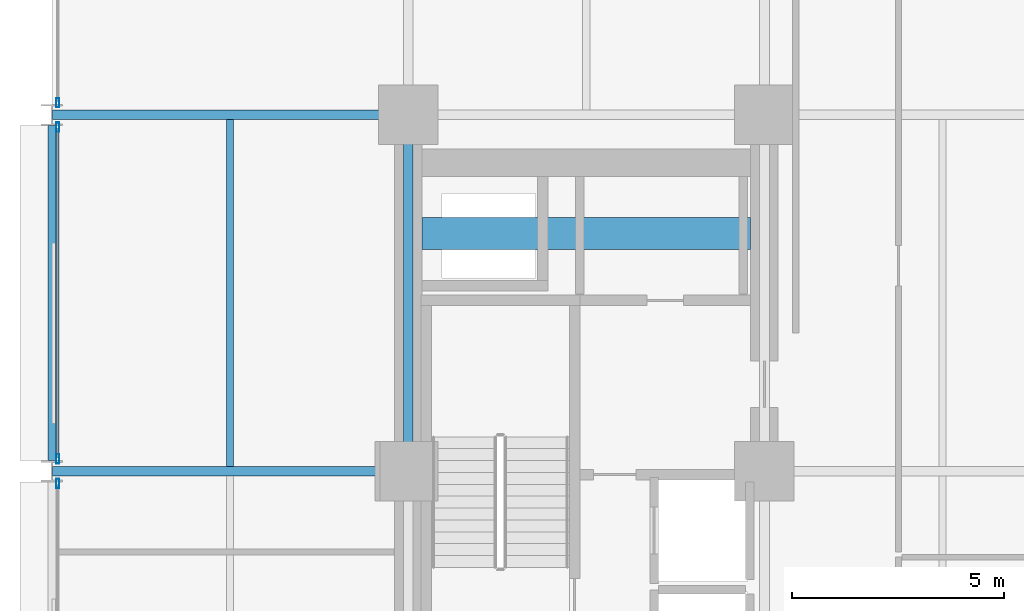
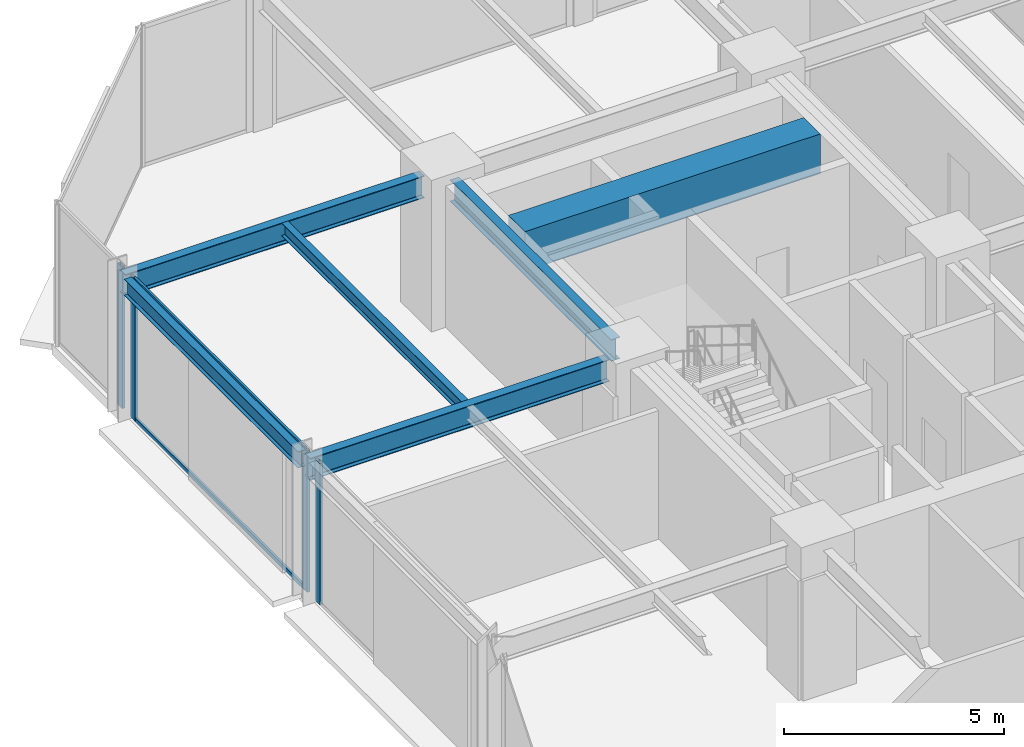
# One storey, part 14 of 25: 6 beams, 6 members, 3 elements without a shape of their own.
"""IFC4 building model written with IfcOpenShell, lengths in metres."""

from ifc_helpers import new_model, si_unit, direction, frame, origin, origin_2d, place, context, subcontext, project, spatial, rectangle, hollow_rectangle, i_section, extrude, material, layer, layer_set, material_profile, profile_set, type_object, element, aggregate, save


model = new_model("IFC4")

# Units and contexts
model_context = context("Model", 3, precision=1e-05, world=origin(), true_north=direction((0.0, 1.0)))
body_context = subcontext(model_context, "Body", "Model", "MODEL_VIEW")
ifc_project = project(units=[si_unit("LENGTHUNIT", "METRE"), si_unit("AREAUNIT", "SQUARE_METRE"), si_unit("VOLUMEUNIT", "CUBIC_METRE"), si_unit("PLANEANGLEUNIT", "RADIAN"), si_unit("MASSUNIT", "GRAM", prefix="KILO")], contexts=[model_context])

# Site, building, storey
site_placement = place(None, origin())
site = spatial("IfcSite", under=ifc_project, at=site_placement, CompositionType="ELEMENT")
building_placement = place(site_placement, origin())
building = spatial("IfcBuilding", under=site, at=building_placement, Name="Nerrivon Quay Data Exchange", CompositionType="ELEMENT")
storey_placement = place(building_placement, frame((0.0, 0.0, 29.0)))
storey = spatial("IfcBuildingStorey", under=building, at=storey_placement, Name="L06", CompositionType="ELEMENT", Elevation=29.0)

# Beams
ifc_material_1 = material(Name="Concrete S65 (65 MPa)", Category="concrete")
ifc_material_profile_1 = material_profile(ifc_material_1, rectangle(XDim=0.75, YDim=1.10009765625, at=origin_2d()), Name="RC-CB-750x1100")
ifc_profile_set_1 = profile_set([ifc_material_profile_1], Name="Concrete S65 (65 MPa)")
beam_type_1 = type_object("IfcBeamType", Name="BM-CB1-750x1100", PredefinedType="LINTEL", material=ifc_profile_set_1)
beam_1_placement = place(storey_placement, frame((8.72509765625, 39.199951171875, 3.375), z_axis=(1.0, 0.0, 0.0), x_axis=(0.0, 1.0, 0.0)))
element("IfcBeam", 1, at=beam_1_placement, inside=storey, type_object=beam_type_1, Name="L06 West Core Coupling Beam", PredefinedType="LINTEL", context=body_context, shape_type="SweptSolid", body=[
    extrude(rectangle(XDim=0.75, YDim=1.10009765625, at=origin_2d()), origin(), (0.0, 0.0, 1.0), 7.75),
])
ifc_material_2 = material(Name="Steel Grade 350", Category="steel")
ifc_material_profile_2 = material_profile(ifc_material_2, i_section(OverallWidth=0.22900390625, OverallDepth=0.612060546875, WebThickness=0.011962890625, FlangeThickness=0.01953125, FilletRadius=0.013916015625, at=origin_2d()), Name="610UB125")
ifc_profile_set_2 = profile_set([ifc_material_profile_2], Name="Steel Grade 350")
beam_type_2 = type_object("IfcBeamType", Name="BM-G1-610UB125", PredefinedType="BEAM", material=ifc_profile_set_2)
for number, where, z_axis, x_axis, name in (
    (2, (0.013916015625, 33.60009765625, 3.618896484375), (1.0, 0.0, 0.0), (0.0, 1.0, 0.0), "L06 EW Girder Y=33.6 (0.0..8.4)"),
    (3, (0.013916015625, 42.0, 3.618896484375), (1.0, 0.0, 0.0), (0.0, 1.0, 0.0), "L06 EW Girder Y=42.0 (0.0..8.4)"),
):
    element("IfcBeam", number, at=place(storey_placement, frame(where, z_axis=z_axis, x_axis=x_axis)), inside=storey, type_object=beam_type_2, Name=name, PredefinedType="BEAM", context=body_context, shape_type="SweptSolid", body=[
        extrude(i_section(OverallWidth=0.22900390625, OverallDepth=0.612060546875, WebThickness=0.011962890625, FlangeThickness=0.01953125, FilletRadius=0.013916015625, at=origin_2d()), origin(), (0.0, 0.0, 1.0), 7.84619140625),
    ])
ifc_material_profile_3 = material_profile(ifc_material_2, i_section(OverallWidth=0.22802734375, OverallDepth=0.60205078125, WebThickness=0.010498046875, FlangeThickness=0.014892578125, FilletRadius=0.013916015625, at=origin_2d()), Name="610UB101")
ifc_profile_set_3 = profile_set([ifc_material_profile_3], Name="Steel Grade 350")
beam_type_3 = type_object("IfcBeamType", Name="BM-G2-610UB101", PredefinedType="BEAM", material=ifc_profile_set_3)
beam_2_placement = place(storey_placement, frame((8.39990234375, 34.139892578125, 3.6240234375), z_axis=(0.0, 1.0, 0.0), x_axis=(-1.0, 0.0, 0.0)))
element("IfcBeam", 4, at=beam_2_placement, inside=storey, type_object=beam_type_3, Name="L06 NS Girder X=8.4 (33.6..42.0)", PredefinedType="BEAM", context=body_context, shape_type="SweptSolid", body=[
    extrude(i_section(OverallWidth=0.22802734375, OverallDepth=0.60205078125, WebThickness=0.010498046875, FlangeThickness=0.014892578125, FilletRadius=0.013916015625, at=origin_2d()), origin(), (0.0, 0.0, 1.0), 7.320068359375),
])
ifc_material_profile_4 = material_profile(ifc_material_2, i_section(OverallWidth=0.172119140625, OverallDepth=0.35888671875, WebThickness=0.008056640625, FlangeThickness=0.012939453125, FilletRadius=0.011474609375, at=origin_2d()), Name="360UB56.7")
ifc_profile_set_4 = profile_set([ifc_material_profile_4], Name="Steel Grade 350")
beam_type_4 = type_object("IfcBeamType", Name="BM-J3-360UB57", PredefinedType="JOIST", material=ifc_profile_set_4)
beam_3_placement = place(storey_placement, frame((4.199951171875, 33.714599609375, 3.74560546875), z_axis=(0.0, 1.0, 0.0), x_axis=(-1.0, 0.0, 0.0)))
element("IfcBeam", 5, at=beam_3_placement, inside=storey, type_object=beam_type_4, Name="L06 Secondary Joist X=4.2 (33.6..42.0)", PredefinedType="JOIST", context=body_context, shape_type="SweptSolid", body=[
    extrude(i_section(OverallWidth=0.172119140625, OverallDepth=0.35888671875, WebThickness=0.008056640625, FlangeThickness=0.012939453125, FilletRadius=0.011474609375, at=origin_2d()), origin(), (0.0, 0.0, 1.0), 8.1708984375),
])
ifc_material_profile_5 = material_profile(ifc_material_2, i_section(OverallWidth=0.18994140625, OverallDepth=0.4541015625, WebThickness=0.008544921875, FlangeThickness=0.0126953125, FilletRadius=0.011474609375, at=origin_2d()), Name="460UB67.1")
ifc_profile_set_5 = profile_set([ifc_material_profile_5], Name="Steel Grade 350")
beam_type_5 = type_object("IfcBeamType", Name="BM-SP1-460UB67", PredefinedType="SPANDREL", material=ifc_profile_set_5)
beam_4_placement = place(storey_placement, frame((0.0, 33.85009765625, 3.697998046875), z_axis=(0.0, 1.0, 0.0), x_axis=(-1.0, 0.0, 0.0)))
element("IfcBeam", 6, at=beam_4_placement, inside=storey, type_object=beam_type_5, Name="L06 NS Girder X=0.0 (33.6..42.0)", PredefinedType="SPANDREL", context=body_context, shape_type="SweptSolid", body=[
    extrude(i_section(OverallWidth=0.18994140625, OverallDepth=0.4541015625, WebThickness=0.008544921875, FlangeThickness=0.0126953125, FilletRadius=0.011474609375, at=origin_2d()), origin(), (0.0, 0.0, 1.0), 7.89990234375),
])

# Curtain wall, member
ifc_material_3 = material(Name="Anodised aluminium 6063-T6", Category="aluminium")
ifc_layer = layer(ifc_material_3, 0.219970703125)
ifc_layer_set = layer_set([ifc_layer], Name="Anodised aluminium 6063-T6")
curtain_wall_type = type_object("IfcCurtainWallType", Name="CW-SYS-01", PredefinedType="NOTDEFINED", material=ifc_layer_set)
curtain_wall_1_placement = place(storey_placement, origin())
curtain_wall_1 = element("IfcCurtainWall", 7, at=curtain_wall_1_placement, inside=storey, type_object=curtain_wall_type, Name="L06 Unitised Curtain Wall 16", PredefinedType="NOTDEFINED")
ifc_material_profile_6 = material_profile(ifc_material_3, hollow_rectangle(XDim=0.074951171875, YDim=0.219970703125, WallThickness=0.00390625, at=origin_2d()), Name="ALU-MULL-220x75")
ifc_profile_set_6 = profile_set([ifc_material_profile_6], Name="Anodised aluminium 6063-T6")
member_type_1 = type_object("IfcMemberType", Name="CWM-220x75", PredefinedType="MULLION", material=ifc_profile_set_6)
member_1_placement = place(storey_placement, frame((0.139892578125, 33.3125, 0.0), z_axis=(0.0, 0.0, 1.0), x_axis=(-1.0, 0.0, 0.0)))
member_1 = element("IfcMember", 8, at=member_1_placement, type_object=member_type_1, Name="CW01 mullion 2", PredefinedType="MULLION", context=body_context, shape_type="SweptSolid", body=[
    extrude(hollow_rectangle(XDim=0.074951171875, YDim=0.219970703125, WallThickness=0.00390625, at=origin_2d()), origin(), (0.0, 0.0, 1.0), 3.925048828125),
])
aggregate(curtain_wall_1, [member_1])

# Curtain wall, members
curtain_wall_2_placement = place(storey_placement, origin())
curtain_wall_2 = element("IfcCurtainWall", 9, at=curtain_wall_2_placement, inside=storey, type_object=curtain_wall_type, Name="L06 Unitised Curtain Wall 17", PredefinedType="NOTDEFINED")
member_2_placement = place(storey_placement, frame((0.139892578125, 33.887451171875, 0.0), z_axis=(0.0, 0.0, 1.0), x_axis=(-1.0, 0.0, 0.0)))
member_2 = element("IfcMember", 10, at=member_2_placement, type_object=member_type_1, Name="CW01 mullion 1", PredefinedType="MULLION", context=body_context, shape_type="SweptSolid", body=[
    extrude(hollow_rectangle(XDim=0.074951171875, YDim=0.219970703125, WallThickness=0.00390625, at=origin_2d()), origin(), (0.0, 0.0, 1.0), 3.925048828125),
])
member_3_placement = place(storey_placement, frame((0.139892578125, 41.71240234375, 0.0), z_axis=(0.0, 0.0, 1.0), x_axis=(-1.0, 0.0, 0.0)))
member_3 = element("IfcMember", 11, at=member_3_placement, type_object=member_type_1, Name="CW01 mullion 2", PredefinedType="MULLION", context=body_context, shape_type="SweptSolid", body=[
    extrude(hollow_rectangle(XDim=0.074951171875, YDim=0.219970703125, WallThickness=0.00390625, at=origin_2d()), origin(), (0.0, 0.0, 1.0), 3.925048828125),
])

# Curtain wall, member
curtain_wall_3_placement = place(storey_placement, origin())
curtain_wall_3 = element("IfcCurtainWall", 12, at=curtain_wall_3_placement, inside=storey, type_object=curtain_wall_type, Name="L06 Unitised Curtain Wall 18", PredefinedType="NOTDEFINED")
member_4_placement = place(storey_placement, frame((0.139892578125, 42.28759765625, 0.0), z_axis=(0.0, 0.0, 1.0), x_axis=(-1.0, 0.0, 0.0)))
member_4 = element("IfcMember", 13, at=member_4_placement, type_object=member_type_1, Name="CW01 mullion 1", PredefinedType="MULLION", context=body_context, shape_type="SweptSolid", body=[
    extrude(hollow_rectangle(XDim=0.074951171875, YDim=0.219970703125, WallThickness=0.00390625, at=origin_2d()), origin(), (0.0, 0.0, 1.0), 3.925048828125),
])
aggregate(curtain_wall_3, [member_4])

# Member
ifc_material_profile_7 = material_profile(ifc_material_3, hollow_rectangle(XDim=0.06005859375, YDim=0.1201171875, WallThickness=0.003173828125, at=origin_2d()), Name="ALU-TRAN-120x60")
ifc_profile_set_7 = profile_set([ifc_material_profile_7], Name="Anodised aluminium 6063-T6")
member_type_2 = type_object("IfcMemberType", Name="CWT-120x60", PredefinedType="USERDEFINED", material=ifc_profile_set_7)
member_5_placement = place(storey_placement, frame((0.139892578125, 33.925048828125, 0.032470703125), z_axis=(0.0, 1.0, 0.0), x_axis=(-1.0, 0.0, 0.0)))
member_5 = element("IfcMember", 14, at=member_5_placement, type_object=member_type_2, Name="CW01 transom 1.1", ObjectType="TRANSOM", PredefinedType="USERDEFINED", context=body_context, shape_type="SweptSolid", body=[
    extrude(hollow_rectangle(XDim=0.06005859375, YDim=0.1201171875, WallThickness=0.003173828125, at=origin_2d()), origin(), (0.0, 0.0, 1.0), 7.75),
])

member_6_placement = place(storey_placement, frame((0.139892578125, 33.925048828125, 3.892578125), z_axis=(0.0, 1.0, 0.0), x_axis=(-1.0, 0.0, 0.0)))
member_6 = element("IfcMember", 15, at=member_6_placement, type_object=member_type_2, Name="CW01 transom 1.2", ObjectType="TRANSOM", PredefinedType="USERDEFINED", context=body_context, shape_type="SweptSolid", body=[
    extrude(hollow_rectangle(XDim=0.06005859375, YDim=0.1201171875, WallThickness=0.003173828125, at=origin_2d()), origin(), (0.0, 0.0, 1.0), 7.75),
])

aggregate(curtain_wall_2, [member_2, member_3, member_5, member_6])

save(model, "model.ifc")
